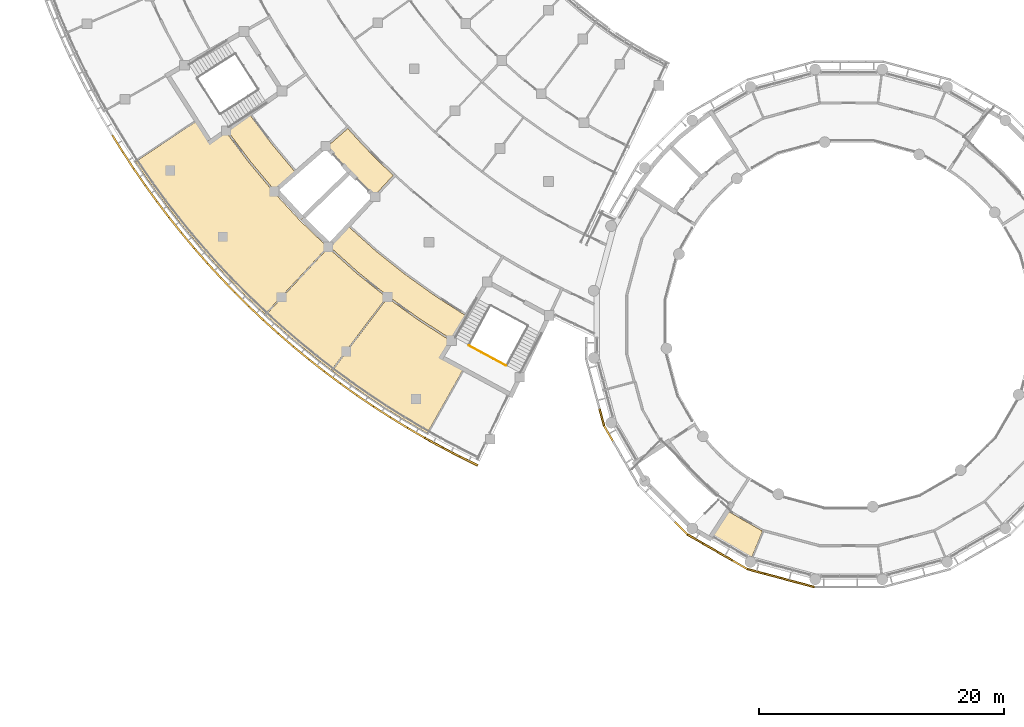
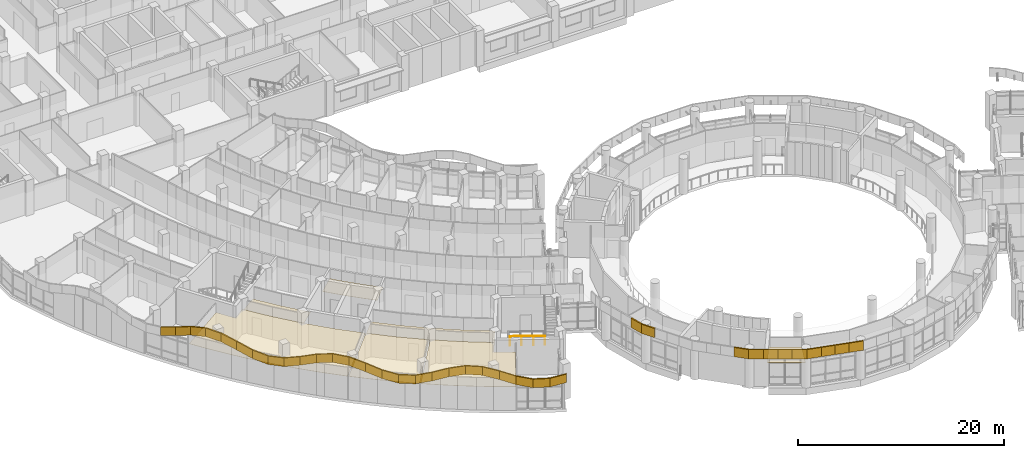
# One storey, part 91 of 109: 43 coverings, 1 railing.
"""IFC4 building model written with IfcOpenShell, lengths in metres."""

from ifc_helpers import new_model, si_unit, direction, frame, origin, origin_2d, place, context, subcontext, project, spatial, polyline, circle, outline, extrude, material, layer, layer_set, type_object, element, save


model = new_model("IFC4")

# Units and contexts
model_context = context("Model", 3, precision=1e-05, world=origin(), true_north=direction((0.0, 1.0)))
body_context = subcontext(model_context, "Body", "Model", "MODEL_VIEW")
ifc_project = project(units=[si_unit("LENGTHUNIT", "METRE"), si_unit("AREAUNIT", "SQUARE_METRE"), si_unit("VOLUMEUNIT", "CUBIC_METRE"), si_unit("PLANEANGLEUNIT", "RADIAN"), si_unit("MASSUNIT", "GRAM", prefix="KILO")], contexts=[model_context])

# Site, building, storey
site_placement = place(None, origin())
site = spatial("IfcSite", under=ifc_project, at=site_placement, CompositionType="ELEMENT")
building_placement = place(site_placement, origin())
building = spatial("IfcBuilding", under=site, at=building_placement, Name="Bougainvillea Quay General Hospital", CompositionType="ELEMENT")
storey_placement = place(building_placement, frame((0.0, 0.0, 12.60009765625)))
storey = spatial("IfcBuildingStorey", under=building, at=storey_placement, Name="L02", CompositionType="ELEMENT", Elevation=12.60009765625)

# Coverings
ifc_material_1 = material(Name="Powder-coated aluminium fascia, white", Category="aluminium")
ifc_layer_1 = layer(ifc_material_1, 0.14990234375)
ifc_layer_set_1 = layer_set([ifc_layer_1], Name="Powder-coated aluminium fascia, white")
covering_type_1 = type_object("IfcCoveringType", Name="Aluminium fascia band white 150x1100", PredefinedType="CLADDING", material=ifc_layer_set_1)
covering_1_placement = place(storey_placement, frame((88.9130859375, 67.145263671875, 3.64990234375), z_axis=(0.0, 0.0, 1.0), x_axis=(0.258747363618, -0.965945030434, 0.0)))
element("IfcCovering", 1, at=covering_1_placement, inside=storey, type_object=covering_type_1, Name="Fascia band white e0 6", PredefinedType="CLADDING", context=body_context, shape_type="SweptSolid", body=[
    extrude(outline(polyline([(0.0, 0.0), (1.4426852911843133, 0.0), (1.462442488504424, -0.14986418031882914), (-2.7020056225221523e-05, -0.1501250436751075), (0.0, 0.0)])), origin(), (0.0, 0.0, 1.0), 1.10009765625),
])
covering_2_placement = place(storey_placement, frame((89.286376953125, 65.751708984375, 3.64990234375), z_axis=(0.0, 0.0, 1.0), x_axis=(0.49994213401, -0.866058810152, 0.0)))
element("IfcCovering", 2, at=covering_2_placement, inside=storey, type_object=covering_type_1, Name="Fascia band white e0 7", PredefinedType="CLADDING", context=body_context, shape_type="SweptSolid", body=[
    extrude(outline(polyline([(0.0, 0.0), (1.4430380994058942, 0.0), (1.443016331686934, -0.14995740286665526), (-0.019704824865206458, -0.14987107548026693), (0.0, 0.0)])), origin(), (0.0, 0.0, 1.0), 1.10009765625),
])
covering_3_placement = place(storey_placement, frame((95.05810546875, 57.920166015625, 3.64990234375), z_axis=(0.0, 0.0, 1.0), x_axis=(0.707106781187, -0.707106781187, 0.0)))
element("IfcCovering", 3, at=covering_3_placement, inside=storey, type_object=covering_type_1, Name="Fascia band white e0 14", PredefinedType="CLADDING", context=body_context, shape_type="SweptSolid", body=[
    extrude(outline(polyline([(0.0, 0.0), (1.4428707219621983, 0.0), (1.4625509399932692, -0.15019113760554115), (0.0, -0.15019113760554112), (0.0, 0.0)])), origin(), (0.0, 0.0, 1.0), 1.10009765625),
])
covering_4_placement = place(storey_placement, frame((96.078369140625, 56.89990234375, 3.64990234375), z_axis=(0.0, 0.0, 1.0), x_axis=(0.866058810152, -0.49994213401, 0.0)))
element("IfcCovering", 4, at=covering_4_placement, inside=storey, type_object=covering_type_1, Name="Fascia band white e0 15", PredefinedType="CLADDING", context=body_context, shape_type="SweptSolid", body=[
    extrude(outline(polyline([(0.0, 0.0), (1.4430380994058942, 0.0), (1.4428484269856572, -0.15007945905171638), (-0.01987272956648338, -0.15016578643810477), (0.0, 0.0)])), origin(), (0.0, 0.0, 1.0), 1.10009765625),
])
covering_5_placement = place(storey_placement, frame((97.328125, 56.178466796875, 3.64990234375), z_axis=(0.0, 0.0, 1.0), x_axis=(0.866031343357, -0.499989712218, 0.0)))
element("IfcCovering", 5, at=covering_5_placement, inside=storey, type_object=covering_type_1, Name="Fascia band white e0 16", PredefinedType="CLADDING", context=body_context, shape_type="SweptSolid", body=[
    extrude(outline(polyline([(0.0, 0.0), (1.3706336703115394, 0.0), (1.3704522428569326, -0.15007946924533522), (-0.00018142745460673904, -0.15007946924533525), (0.0, 0.0)])), origin(), (0.0, 0.0, 1.0), 1.10009765625),
])
covering_6_placement = place(storey_placement, frame((98.51513671875, 55.4931640625, 3.64990234375), z_axis=(0.0, 0.0, 1.0), x_axis=(0.865986804272, -0.500066850358, 0.0)))
element("IfcCovering", 6, at=covering_6_placement, inside=storey, type_object=covering_type_1, Name="Fascia band white e0 17", PredefinedType="CLADDING", context=body_context, shape_type="SweptSolid", body=[
    extrude(outline(polyline([(0.0, 0.0), (1.3704222423145833, 1.1102230246251565e-16), (1.3704656054686581, -0.14995739817689147), (-0.0001680594055618323, -0.15007948481027983), (0.0, 0.0)])), origin(), (0.0, 0.0, 1.0), 1.10009765625),
])
covering_7_placement = place(storey_placement, frame((99.701904296875, 54.807861328125, 3.64990234375), z_axis=(0.0, 0.0, 1.0), x_axis=(0.866058810152, -0.49994213401, 0.0)))
element("IfcCovering", 7, at=covering_7_placement, inside=storey, type_object=covering_type_1, Name="Fascia band white e0 18", PredefinedType="CLADDING", context=body_context, shape_type="SweptSolid", body=[
    extrude(outline(polyline([(0.0, 0.0), (1.4430380994058942, 0.0), (1.4627429242711008, -0.1498710754802669), (2.176771896013341e-05, -0.14995740286665532), (0.0, 0.0)])), origin(), (0.0, 0.0, 1.0), 1.10009765625),
])
covering_8_placement = place(storey_placement, frame((100.95166015625, 54.08642578125, 3.64990234375), z_axis=(0.0, 0.0, 1.0), x_axis=(0.96591406393, -0.258862938836, 0.0)))
element("IfcCovering", 8, at=covering_8_placement, inside=storey, type_object=covering_type_1, Name="Fascia band white e0 19", PredefinedType="CLADDING", context=body_context, shape_type="SweptSolid", body=[
    extrude(outline(polyline([(0.0, 0.0), (1.4429842986801122, 5.551115123125783e-17), (1.442966082509382, -0.149889220504208), (-0.01973926565854102, -0.14986654323044177), (0.0, 0.0)])), origin(), (0.0, 0.0, 1.0), 1.10009765625),
])
for number, where, z_axis, x_axis, name in (
    (9, (102.345458984375, 53.712890625, 3.64990234375), (0.0, 0.0, 1.0), (0.965917832393, -0.258848876884, 0.0), "Fascia band white e0 20"),
    (10, (103.669189453125, 53.358154296875, 3.64990234375), (0.0, 0.0, 1.0), (0.965917832393, -0.258848876884, 0.0), "Fascia band white e0 21"),
):
    element("IfcCovering", number, at=place(storey_placement, frame(where, z_axis=z_axis, x_axis=x_axis)), inside=storey, type_object=covering_type_1, Name=name, PredefinedType="CLADDING", context=body_context, shape_type="SweptSolid", body=[
        extrude(outline(polyline([(0.0, 0.0), (1.3704379651734342, 5.551115123125783e-17), (1.3704175668926584, -0.14988922022313056), (-2.039828077596978e-05, -0.14988922022313056), (0.0, 0.0)])), origin(), (0.0, 0.0, 1.0), 1.10009765625),
    ])
covering_9_placement = place(storey_placement, frame((104.992919921875, 53.00341796875, 3.64990234375), z_axis=(0.0, 0.0, 1.0), x_axis=(0.965902723626, -0.258905250026, 0.0)))
element("IfcCovering", 11, at=covering_9_placement, inside=storey, type_object=covering_type_1, Name="Fascia band white e0 22", PredefinedType="CLADDING", context=body_context, shape_type="SweptSolid", body=[
    extrude(outline(polyline([(0.0, 0.0), (1.4427484812010494, 1.1102230246251565e-16), (1.4626936974182987, -0.14984782527068197), (-1.1650339643856644e-05, -0.14988922115835274), (0.0, 0.0)])), origin(), (0.0, 0.0, 1.0), 1.10009765625),
])
ifc_material_2 = material(Name="Powder-coated aluminium fascia, blue", Category="aluminium")
ifc_layer_2 = layer(ifc_material_2, 0.14990234375)
ifc_layer_set_2 = layer_set([ifc_layer_2], Name="Powder-coated aluminium fascia, blue")
covering_type_2 = type_object("IfcCoveringType", Name="Aluminium wave fascia ribbon blue 150x1000", PredefinedType="CLADDING", material=ifc_layer_set_2)
covering_10_placement = place(storey_placement, frame((49.122314453125, 89.492919921875, 3.072998046875), z_axis=(-0.162272345007, 0.261598801888, 0.951437729385), x_axis=(0.503479514618, -0.807305784709, 0.307840459224)))
element("IfcCovering", 12, at=covering_10_placement, inside=storey, type_object=covering_type_2, Name="Fascia ribbon blue a01 11", PredefinedType="CLADDING", context=body_context, shape_type="SweptSolid", body=[
    extrude(outline(polyline([(0.0, 0.0), (1.713163034044507, 8.847089727481716e-17), (1.7150777867443874, -0.14986286739317317), (-0.0018095412038238899, -0.14996973337381417), (0.0, 0.0)])), origin(), (0.307840459224, -0.000706234976, 0.951437729385), 1.0),
])
covering_11_placement = place(storey_placement, frame((49.98486328125, 88.10986328125, 3.60107421875), z_axis=(-0.185145162964, 0.282112881846, 0.941346689869), x_axis=(0.516555990042, -0.786958385388, 0.337440970866)))
element("IfcCovering", 13, at=covering_11_placement, inside=storey, type_object=covering_type_2, Name="Fascia ribbon blue a01 12", PredefinedType="CLADDING", context=body_context, shape_type="SweptSolid", body=[
    extrude(outline(polyline([(0.0, 0.0), (1.7316794672931977, -5.051704497424647e-17), (1.7335094219267628, -0.1500425564350402), (-0.0018526719240883089, -0.14986360634460838), (0.0, 0.0)])), origin(), (0.337440970866, -2.5560477e-05, 0.941346689869), 1.0),
])
covering_12_placement = place(storey_placement, frame((50.87939453125, 86.7470703125, 4.185791015625), z_axis=(-0.104592199607, 0.151861271166, 0.98285229109), x_axis=(0.558162731115, -0.808982703277, 0.184394553586)))
element("IfcCovering", 14, at=covering_12_placement, inside=storey, type_object=covering_type_2, Name="Fascia ribbon blue a01 13", PredefinedType="CLADDING", context=body_context, shape_type="SweptSolid", body=[
    extrude(outline(polyline([(0.0, 0.0), (1.6586348606553012, 2.8010363126163007e-16), (1.6601892015962099, -0.14995887378234604), (-0.0017984180171341838, -0.1500413805824064), (0.0, 0.0)])), origin(), (0.184394553586, -0.000150021485, 0.98285229109), 1.0),
])
covering_13_placement = place(storey_placement, frame((51.80517578125, 85.4052734375, 4.49169921875), z_axis=(0.052933400782, -0.073151019136, 0.995915148736), x_axis=(0.584437896561, -0.806398991198, -0.090294031135)))
element("IfcCovering", 15, at=covering_13_placement, inside=storey, type_object=covering_type_2, Name="Fascia ribbon blue a01 14", PredefinedType="CLADDING", context=body_context, shape_type="SweptSolid", body=[
    extrude(outline(polyline([(0.0, 0.0), (1.6366817661078368, -2.6018141634220893e-16), (1.6384162489704552, -0.14989427680613215), (-0.001956268364356901, -0.1499541634207764), (0.0, 0.0)])), origin(), (-0.090294031135, 6.6786764e-05, 0.995915148736), 1.0),
])
covering_14_placement = place(storey_placement, frame((52.76171875, 84.08544921875, 4.343505859375), z_axis=(0.18363753024, -0.240113289599, 0.953217113592), x_axis=(0.577239122553, -0.758563344833, -0.302285704707)))
element("IfcCovering", 16, at=covering_14_placement, inside=storey, type_object=covering_type_2, Name="Fascia ribbon blue a01 15", PredefinedType="CLADDING", context=body_context, shape_type="SweptSolid", body=[
    extrude(outline(polyline([(0.0, 0.0), (1.7099520655379756, 1.7661653389788867e-16), (1.7117539555082093, -0.15011342934059416), (-0.0019168848446964222, -0.14989365738330115), (0.0, 0.0)])), origin(), (-0.302285704707, -0.000697914575, 0.953217113592), 1.0),
])
covering_15_placement = place(storey_placement, frame((53.748779296875, 82.788330078125, 3.826171875), z_axis=(0.212120702479, -0.2657731357, 0.940409191746), x_axis=(0.586592599005, -0.73503644193, -0.34004492619)))
element("IfcCovering", 17, at=covering_15_placement, inside=storey, type_object=covering_type_2, Name="Fascia ribbon blue a01 16", PredefinedType="CLADDING", context=body_context, shape_type="SweptSolid", body=[
    extrude(outline(polyline([(0.0, 0.0), (1.7334428264430513, -1.6623529809633997e-16), (1.735330334637219, -0.1500712511706641), (-0.0018734790639898177, -0.15011352162946795), (0.0, 0.0)])), origin(), (-0.34004492619, -1.5891994e-05, 0.940409191746), 1.0),
])
covering_16_placement = place(storey_placement, frame((54.765625, 81.51416015625, 3.236328125), z_axis=(0.124958405177, -0.149537786906, 0.980828143592), x_axis=(0.629426671963, -0.752227311221, -0.194874669659)))
element("IfcCovering", 18, at=covering_16_placement, inside=storey, type_object=covering_type_2, Name="Fascia ribbon blue a01 17", PredefinedType="CLADDING", context=body_context, shape_type="SweptSolid", body=[
    extrude(outline(polyline([(0.0, 0.0), (1.6620722746001069, 1.07742590890747e-17), (1.663632654492686, -0.14995284188059085), (-0.0017542838035135193, -0.15007128999642147), (0.0, 0.0)])), origin(), (-0.194874669659, 0.000125946404, 0.980828143592), 1.0),
])
covering_17_placement = place(storey_placement, frame((55.811767578125, 80.263916015625, 2.912353515625), z_axis=(-0.051424669048, 0.058662215063, 0.99695248028), x_axis=(0.657374865304, -0.749514866286, 0.078011227923)))
element("IfcCovering", 19, at=covering_17_placement, inside=storey, type_object=covering_type_2, Name="Fascia ribbon blue a01 18", PredefinedType="CLADDING", context=body_context, shape_type="SweptSolid", body=[
    extrude(outline(polyline([(0.0, 0.0), (1.6348391435390714, -1.506600562622279e-16), (1.6367210546298263, -0.15004451241426792), (-0.0019569437686992115, -0.14994818250510017), (0.0, 0.0)])), origin(), (0.078011227923, -1.951178e-05, 0.99695248028), 1.0),
])
covering_18_placement = place(storey_placement, frame((56.886474609375, 79.03857421875, 3.0400390625), z_axis=(-0.200563628955, 0.218161158899, 0.955081116706), x_axis=(0.64620688864, -0.703275623122, 0.296344487035)))
element("IfcCovering", 20, at=covering_18_placement, inside=storey, type_object=covering_type_2, Name="Fascia ribbon blue a01 19", PredefinedType="CLADDING", context=body_context, shape_type="SweptSolid", body=[
    extrude(outline(polyline([(0.0, 0.0), (1.7069323093029267, -2.1147363374329764e-16), (1.7086830515386995, -0.15008147912863798), (-0.0016755263621577173, -0.1500475833673768), (0.0, 0.0)])), origin(), (0.296344487035, 7.4267414e-05, 0.955081116706), 1.0),
])
covering_19_placement = place(storey_placement, frame((57.989501953125, 77.838134765625, 3.54638671875), z_axis=(-0.237412499395, 0.246597273697, 0.939587723279), x_axis=(0.651601974381, -0.676934234311, 0.342308208199)))
element("IfcCovering", 21, at=covering_19_placement, inside=storey, type_object=covering_type_2, Name="Fascia ribbon blue a01 20", PredefinedType="CLADDING", context=body_context, shape_type="SweptSolid", body=[
    extrude(outline(polyline([(0.0, 0.0), (1.7347325123926882, 2.0816681711721685e-17), (1.736700493122285, -0.1501835865574706), (-0.0019422110600583737, -0.15008010263322039), (0.0, 0.0)])), origin(), (0.342308208199, 2.9378076e-05, 0.939587723279), 1.0),
])
covering_20_placement = place(storey_placement, frame((59.119873046875, 76.663818359375, 4.140625), z_axis=(-0.14502439027, 0.144816575405, 0.978772744673), x_axis=(0.694876771414, -0.689306026726, 0.204947491004)))
element("IfcCovering", 22, at=covering_20_placement, inside=storey, type_object=covering_type_2, Name="Fascia ribbon blue a01 21", PredefinedType="CLADDING", context=body_context, shape_type="SweptSolid", body=[
    extrude(outline(polyline([(0.0, 0.0), (1.6653685123511626, 1.6051613163647893e-16), (1.6672438715734357, -0.14985442143294186), (-0.0016554613829754495, -0.15018578404738264), (0.0, 0.0)])), origin(), (0.204947491004, -0.000663488129, 0.978772744673), 1.0),
])
covering_21_placement = place(storey_placement, frame((60.277099609375, 75.515869140625, 4.482177734375), z_axis=(0.047468971928, -0.044967804124, 0.997860006863), x_axis=(0.724607233497, -0.686053169059, -0.065386591808)))
element("IfcCovering", 23, at=covering_21_placement, inside=storey, type_object=covering_type_2, Name="Fascia ribbon blue a01 22", PredefinedType="CLADDING", context=body_context, shape_type="SweptSolid", body=[
    extrude(outline(polyline([(0.0, 0.0), (1.6337719486297833, 1.8153610125554165e-17), (1.6353647600663497, -0.1501181461354759), (-0.0016742776239954266, -0.14985596929713108), (0.0, 0.0)])), origin(), (-0.065386591808, 1.775752e-05, 0.997860006863), 1.0),
])
covering_22_placement = place(storey_placement, frame((61.4609375, 74.39501953125, 4.375), z_axis=(0.214928964901, -0.194639293132, 0.957037661545), x_axis=(0.709983243869, -0.641751467831, -0.289963526951)))
element("IfcCovering", 24, at=covering_22_placement, inside=storey, type_object=covering_type_2, Name="Fascia ribbon blue a01 23", PredefinedType="CLADDING", context=body_context, shape_type="SweptSolid", body=[
    extrude(outline(polyline([(0.0, 0.0), (1.7031895857873354, 6.640738306473715e-18), (1.7048552161588388, -0.14994417460003154), (-0.0019343288572178767, -0.1501149621513945), (0.0, 0.0)])), origin(), (-0.289963526951, 0.000259658018, 0.957037661545), 1.0),
])
covering_23_placement = place(storey_placement, frame((62.670166015625, 73.302001953125, 3.880615234375), z_axis=(0.260499991106, -0.224926336406, 0.938907821793), x_axis=(0.711042201749, -0.613161419693, -0.344168651584)))
element("IfcCovering", 25, at=covering_23_placement, inside=storey, type_object=covering_type_2, Name="Fascia ribbon blue a01 24", PredefinedType="CLADDING", context=body_context, shape_type="SweptSolid", body=[
    extrude(outline(polyline([(0.0, 0.0), (1.7360688527778243, 2.570643350963131e-16), (1.737851443760782, -0.15003553335103953), (-0.001960024501050167, -0.14994052765476268), (0.0, 0.0)])), origin(), (-0.344168651584, 0.000203573093, 0.938907821793), 1.0),
])
covering_24_placement = place(storey_placement, frame((63.904541015625, 72.237548828125, 3.282470703125), z_axis=(0.165840582139, -0.13648208077, 0.976662450873), x_axis=(0.754138996485, -0.620599643054, -0.21478002007)))
element("IfcCovering", 26, at=covering_24_placement, inside=storey, type_object=covering_type_2, Name="Fascia ribbon blue a01 25", PredefinedType="CLADDING", context=body_context, shape_type="SweptSolid", body=[
    extrude(outline(polyline([(0.0, 0.0), (1.669150883989138, -2.9761349634727097e-17), (1.6709461172450633, -0.15002550603339854), (-0.001803410745321041, -0.15003534005341163), (0.0, 0.0)])), origin(), (-0.21478002007, 5.853351e-06, 0.976662450873), 1.0),
])
covering_25_placement = place(storey_placement, frame((65.163330078125, 71.20166015625, 2.923828125), z_axis=(-0.041049695486, 0.033244589093, 0.99860388533), x_axis=(0.785552872467, -0.616536337296, 0.052816941905)))
element("IfcCovering", 27, at=covering_25_placement, inside=storey, type_object=covering_type_2, Name="Fascia ribbon blue a01 26", PredefinedType="CLADDING", context=body_context, shape_type="SweptSolid", body=[
    extrude(outline(polyline([(0.0, 0.0), (1.6322585080625496, -7.787282103877136e-17), (1.6340394630856983, -0.14975311537617442), (-0.0017375367028961003, -0.1500254241163087), (0.0, 0.0)])), origin(), (0.052816941905, -0.000806753554, 0.99860388533), 1.0),
])
covering_26_placement = place(storey_placement, frame((66.445556640625, 70.1953125, 3.010498046875), z_axis=(-0.226836218914, 0.169607956156, 0.959050817735), x_axis=(0.768015586137, -0.574395796891, 0.283234051563)))
element("IfcCovering", 28, at=covering_26_placement, inside=storey, type_object=covering_type_2, Name="Fascia ribbon blue a01 27", PredefinedType="CLADDING", context=body_context, shape_type="SweptSolid", body=[
    extrude(outline(polyline([(0.0, 0.0), (1.6997377149714825, -6.879262784420526e-17), (1.7015553763922084, -0.14990484105584684), (-0.001783576329707816, -0.14975368236265948), (0.0, 0.0)])), origin(), (0.283234051563, 3.2216866e-05, 0.959050817735), 1.0),
])
covering_27_placement = place(storey_placement, frame((67.7509765625, 69.218994140625, 3.492431640625), z_axis=(-0.282161527813, 0.199760907697, 0.938339198786), x_axis=(0.764307903914, -0.544347974747, 0.345714781868)))
element("IfcCovering", 29, at=covering_27_placement, inside=storey, type_object=covering_type_2, Name="Fascia ribbon blue a01 28", PredefinedType="CLADDING", context=body_context, shape_type="SweptSolid", body=[
    extrude(outline(polyline([(0.0, 0.0), (1.7370665163768755, 1.3010426069826053e-16), (1.7390390238087856, -0.14999529173769946), (-0.0018847680878757026, -0.14990499605318286), (0.0, 0.0)])), origin(), (0.345714781868, 0.000915215571, 0.938339198786), 1.0),
])
covering_28_placement = place(storey_placement, frame((69.07861328125, 68.2734375, 4.093505859375), z_axis=(-0.185700649226, 0.125685409938, 0.974534989934), x_axis=(0.806638941597, -0.546856556166, 0.224235422885)))
element("IfcCovering", 30, at=covering_28_placement, inside=storey, type_object=covering_type_2, Name="Fascia ribbon blue a01 29", PredefinedType="CLADDING", context=body_context, shape_type="SweptSolid", body=[
    extrude(outline(polyline([(0.0, 0.0), (1.672800428641557, 3.365363543395006e-16), (1.6746400973323778, -0.15010917165850915), (-0.0016136571144627601, -0.1499995576103966), (0.0, 0.0)])), origin(), (0.224235422885, 0.000168871467, 0.974534989934), 1.0),
])
covering_29_placement = place(storey_placement, frame((70.427978515625, 67.358642578125, 4.46875), z_axis=(0.033671478832, -0.021708814039, 0.999197157175), x_axis=(0.839802296054, -0.541412100391, -0.040062964104)))
element("IfcCovering", 31, at=covering_29_placement, inside=storey, type_object=covering_type_2, Name="Fascia ribbon blue a01 30", PredefinedType="CLADDING", context=body_context, shape_type="SweptSolid", body=[
    extrude(outline(polyline([(0.0, 0.0), (1.6314785984006381, -5.940072652504957e-17), (1.633167793076771, -0.14995900447452953), (-0.0016964284330920898, -0.1501100851604957), (0.0, 0.0)])), origin(), (-0.040062964104, 9.65797e-07, 0.999197157175), 1.0),
])
covering_30_placement = place(storey_placement, frame((71.798095703125, 66.475341796875, 4.403076171875), z_axis=(0.235552770301, -0.144298548219, 0.961089393025), x_axis=(0.819674193639, -0.501823716883, -0.276237530859)))
element("IfcCovering", 32, at=covering_30_placement, inside=storey, type_object=covering_type_2, Name="Fascia ribbon blue a01 31", PredefinedType="CLADDING", context=body_context, shape_type="SweptSolid", body=[
    extrude(outline(polyline([(0.0, 0.0), (1.6959673235732866, 8.294146619514109e-17), (1.6977539511562567, -0.15009376492396181), (-0.0018646493169751234, -0.14995773481767197), (0.0, 0.0)])), origin(), (-0.276237530859, 7.182944e-05, 0.961089393025), 1.0),
])
covering_31_placement = place(storey_placement, frame((73.188232421875, 65.624267578125, 3.93408203125), z_axis=(0.299566356593, -0.174760465913, 0.937933247919), x_axis=(0.810996357451, -0.471173030929, -0.346815344423)))
element("IfcCovering", 33, at=covering_31_placement, inside=storey, type_object=covering_type_2, Name="Fascia ribbon blue a01 32", PredefinedType="CLADDING", context=body_context, shape_type="SweptSolid", body=[
    extrude(outline(polyline([(0.0, 0.0), (1.7379109869818932, -2.0822102722584113e-16), (1.7399122364033228, -0.14997683216277805), (-0.0018012995496333654, -0.15009358139343326), (0.0, 0.0)])), origin(), (-0.346815344423, 0.000582513082, 0.937933247919), 1.0),
])
covering_32_placement = place(storey_placement, frame((74.59765625, 64.805419921875, 3.330810546875), z_axis=(0.20413225172, -0.113214375189, 0.972374685529), x_axis=(0.851918165186, -0.468773445119, -0.233424285322)))
element("IfcCovering", 34, at=covering_32_placement, inside=storey, type_object=covering_type_2, Name="Fascia ribbon blue a01 33", PredefinedType="CLADDING", context=body_context, shape_type="SweptSolid", body=[
    extrude(outline(polyline([(0.0, 0.0), (1.676484891490457, 1.244664094013359e-16), (1.6781980297902501, -0.14985059416207544), (-0.0016403606037489135, -0.14997963070540982), (0.0, 0.0)])), origin(), (-0.233424285322, 0.000757603885, 0.972374685529), 1.0),
])
covering_33_placement = place(storey_placement, frame((76.02587890625, 64.01953125, 2.939208984375), z_axis=(-0.023824850617, 0.013344483225, 0.999627081096), x_axis=(0.886761226125, -0.461421211947, 0.027294560025)))
element("IfcCovering", 35, at=covering_33_placement, inside=storey, type_object=covering_type_2, Name="Fascia ribbon blue a01 34", PredefinedType="CLADDING", context=body_context, shape_type="SweptSolid", body=[
    extrude(outline(polyline([(0.0, 0.0), (1.6307017889361677, 3.9160027217460813e-17), (1.6322561096988601, -0.15001212140752923), (-0.0018388378694248128, -0.14984829196401317), (0.0, 0.0)])), origin(), (0.027294560025, -0.00084007886, 0.999627081096), 1.0),
])
covering_34_placement = place(storey_placement, frame((77.471923828125, 63.26708984375, 2.984130859375), z_axis=(-0.240869805391, 0.118572291753, 0.963287261661), x_axis=(0.864576567746, -0.424770228694, 0.268472738503)))
element("IfcCovering", 36, at=covering_34_placement, inside=storey, type_object=covering_type_2, Name="Fascia ribbon blue a01 35", PredefinedType="CLADDING", context=body_context, shape_type="SweptSolid", body=[
    extrude(outline(polyline([(0.0, 0.0), (1.6886466509828681, -3.054739620977909e-17), (1.6885851632268134, -0.14991147553405773), (-0.001981236813015733, -0.15000770491164692), (0.0, 0.0)])), origin(), (0.268472738503, -0.000200502712, 0.963287261661), 1.0),
])

# Railing
ifc_material_3 = material(Name="Stainless steel 304 balustrade", Category="steel")
railing_type = type_object("IfcRailingType", Name="Stair guard 1100", PredefinedType="GUARDRAIL", material=ifc_material_3)
railing_placement = place(storey_placement, frame((78.18896484375, 72.2578125, 2.099853515625)))
element("IfcRailing", 37, at=railing_placement, inside=storey, type_object=railing_type, Name="L02 ST-W1 stair guard 2", PredefinedType="GUARDRAIL", context=body_context, shape_type="SweptSolid", body=[
    extrude(circle(Radius=0.02392578125, at=origin_2d()), frame((0.0, 0.0, 1.076171875), z_axis=(0.879596792636, -0.475719962146, 0.0), x_axis=(0.475719962146, 0.879596792636, 0.0)), (0.0, 0.0, 1.0), 3.422119140625),
    extrude(circle(Radius=0.02099609375, at=origin_2d()), origin(), (0.0, 0.0, 1.0), 1.052001953125),
    extrude(circle(Radius=0.02099609375, at=origin_2d()), frame((1.00341796875, -0.542724609375, 0.0)), (0.0, 0.0, 1.0), 1.052001953125),
    extrude(circle(Radius=0.02099609375, at=origin_2d()), frame((2.006591796875, -1.085205078125, 0.0)), (0.0, 0.0, 1.0), 1.052001953125),
    extrude(circle(Radius=0.02099609375, at=origin_2d()), frame((3.010009765625, -1.6279296875, 0.0)), (0.0, 0.0, 1.0), 1.052001953125),
])

# Coverings
ifc_material_4 = material(Name="Mineral fibre ceiling tile")
ifc_layer_3 = layer(ifc_material_4, 0.030029296875)
ifc_layer_set_3 = layer_set([ifc_layer_3], Name="Mineral fibre ceiling tile")
covering_type_3 = type_object("IfcCoveringType", Name="Suspended ceiling mineral fibre tile", PredefinedType="CEILING", material=ifc_layer_set_3)
covering_35_placement = place(storey_placement, frame((0.0, 0.0, 2.699951171875)))
element("IfcCovering", 38, at=covering_35_placement, inside=storey, type_object=covering_type_3, Name="Ceiling Lift Lobby LB-W1", PredefinedType="CEILING", context=body_context, shape_type="SweptSolid", body=[
    extrude(outline(polyline([(70.4365234375, 84.485107421875), (72.00341796875, 86.168701171875), (71.1474609375, 86.9853515625), (71.145751953125, 86.983642578125), (71.075927734375, 87.053466796875), (71.004638671875, 87.12158203125), (71.00634765625, 87.12353515625), (70.169921875, 87.96337890625), (70.16796875, 87.961669921875), (70.100341796875, 88.033447265625), (70.030517578125, 88.103271484375), (70.032470703125, 88.10498046875), (69.218505859375, 88.96533203125), (69.216552734375, 88.9638671875), (69.150390625, 89.037109375), (69.08251953125, 89.10888671875), (69.08447265625, 89.110595703125), (68.292724609375, 89.98974609375), (66.56396484375, 88.4736328125), (67.4599609375, 87.47705078125), (68.449951171875, 86.430908203125), (69.467041015625, 85.409912109375), (70.4365234375, 84.485107421875)])), origin(), (0.0, 0.0, 1.0), 0.030029296875),
])
covering_36_placement = place(storey_placement, frame((0.0, 0.0, 2.699951171875)))
element("IfcCovering", 39, at=covering_36_placement, inside=storey, type_object=covering_type_3, Name="Ceiling Gallery Lounge 02H0221", PredefinedType="CEILING", context=body_context, shape_type="SweptSolid", body=[
    extrude(outline(polyline([(101.120361328125, 54.624267578125), (102.147216796875, 57.103271484375), (102.133056640625, 57.10693359375), (102.1376953125, 57.123779296875), (99.3681640625, 58.722412109375), (99.365966796875, 58.71923828125), (99.344970703125, 58.73291015625), (97.888427734375, 56.489990234375), (101.120361328125, 54.624267578125)])), origin(), (0.0, 0.0, 1.0), 0.030029296875),
])
covering_37_placement = place(storey_placement, frame((0.0, 0.0, 2.39990234375)))
element("IfcCovering", 40, at=covering_37_placement, inside=storey, type_object=covering_type_3, Name="Ceiling Clinic Corridor 02W1", PredefinedType="CEILING", context=body_context, shape_type="SweptSolid", body=[
    extrude(outline(polyline([(66.8310546875, 80.4619140625), (66.904296875, 80.39404296875), (66.83935546875, 80.323974609375), (69.113525390625, 78.27734375), (71.584228515625, 76.306884765625), (74.152099609375, 74.463134765625), (76.766845703125, 72.780029296875), (77.93701171875, 74.701904296875), (75.478271484375, 76.284423828125), (75.476318359375, 76.28125), (75.416748046875, 76.323974609375), (75.355224609375, 76.363525390625), (75.357421875, 76.36669921875), (73.001220703125, 78.0576171875), (72.998779296875, 78.0546875), (72.941650390625, 78.10009765625), (72.88232421875, 78.142822265625), (72.884521484375, 78.145751953125), (70.617431640625, 79.955322265625), (70.614501953125, 79.9521484375), (70.560546875, 80.000732421875), (70.503662109375, 80.046142578125), (70.50634765625, 80.049560546875), (68.296875, 82.0361328125), (68.346923828125, 82.092041015625), (66.8310546875, 80.4619140625)])), origin(), (0.0, 0.0, 1.0), 0.030029296875),
])
covering_38_placement = place(storey_placement, frame((0.0, 0.0, 2.699951171875)))
element("IfcCovering", 41, at=covering_38_placement, inside=storey, type_object=covering_type_3, Name="Ceiling Endoscopy Procedure Room 02W111", PredefinedType="CEILING", context=body_context, shape_type="SweptSolid", body=[
    extrude(outline(polyline([(74.06787109375, 74.3388671875), (74.00634765625, 74.37841796875), (74.00830078125, 74.381591796875), (71.55322265625, 76.14453125), (71.55078125, 76.1416015625), (71.53271484375, 76.156005859375), (67.0244140625, 70.2001953125), (68.56103515625, 69.068603515625), (69.99609375, 68.0712890625), (71.455078125, 67.109130859375), (72.937744140625, 66.184814453125), (74.769287109375, 65.11669921875), (77.66943359375, 70.2529296875), (77.354248046875, 70.4287109375), (77.353515625, 70.427490234375), (77.26806640625, 70.4765625), (77.2685546875, 70.477783203125), (75.87060546875, 71.304443359375), (75.92138671875, 71.390380859375), (76.68896484375, 72.652099609375), (74.12939453125, 74.29931640625), (74.127197265625, 74.29638671875), (74.06787109375, 74.3388671875)])), origin(), (0.0, 0.0, 1.0), 0.030029296875),
])
covering_39_placement = place(storey_placement, frame((0.0, 0.0, 2.699951171875)))
element("IfcCovering", 42, at=covering_39_placement, inside=storey, type_object=covering_type_3, Name="Ceiling Endoscopy Procedure Room 02W112", PredefinedType="CEILING", context=body_context, shape_type="SweptSolid", body=[
    extrude(outline(polyline([(65.768310546875, 71.170166015625), (66.944580078125, 70.260498046875), (71.453125, 76.21630859375), (71.434326171875, 76.229736328125), (71.4365234375, 76.23291015625), (69.073486328125, 78.1171875), (69.070556640625, 78.114013671875), (69.0166015625, 78.162841796875), (68.959716796875, 78.2080078125), (68.96240234375, 78.21142578125), (66.7373046875, 80.214111328125), (66.734130859375, 80.212646484375), (66.698974609375, 80.246337890625), (61.592041015625, 74.7587890625), (62.46435546875, 73.960205078125), (63.781494140625, 72.80712890625), (65.768310546875, 71.170166015625)])), origin(), (0.0, 0.0, 1.0), 0.030029296875),
])
covering_40_placement = place(storey_placement, frame((0.0, 0.0, 2.39990234375)))
element("IfcCovering", 43, at=covering_40_placement, inside=storey, type_object=covering_type_3, Name="Ceiling Clinic Corridor 02W1", PredefinedType="CEILING", context=body_context, shape_type="SweptSolid", body=[
    extrude(outline(polyline([(64.091064453125, 86.43798828125), (64.033447265625, 86.389892578125), (62.131103515625, 88.67236328125), (62.1279296875, 88.669921875), (62.084228515625, 88.728515625), (62.037353515625, 88.78466796875), (62.040283203125, 88.787109375), (60.285888671875, 91.12548828125), (58.4521484375, 89.821533203125), (60.31982421875, 87.33251953125), (62.343505859375, 84.904541015625), (64.486572265625, 82.58251953125), (66.69287109375, 80.460205078125), (66.7578125, 80.530029296875), (66.8310546875, 80.4619140625), (65.68896484375, 81.551025390625), (64.575927734375, 82.6689453125), (63.491943359375, 83.81396484375), (62.43701171875, 84.987060546875), (64.091064453125, 86.43798828125)])), origin(), (0.0, 0.0, 1.0), 0.030029296875),
])
covering_41_placement = place(storey_placement, frame((0.0, 0.0, 2.699951171875)))
element("IfcCovering", 44, at=covering_41_placement, inside=storey, type_object=covering_type_3, Name="Ceiling Dialysis Chair Bay 02W111", PredefinedType="CEILING", context=body_context, shape_type="SweptSolid", body=[
    extrude(outline(polyline([(64.326904296875, 82.52783203125), (64.330078125, 82.531005859375), (62.2802734375, 84.751708984375), (62.27734375, 84.749267578125), (62.230712890625, 84.805419921875), (62.180908203125, 84.859130859375), (62.183837890625, 84.86181640625), (60.2490234375, 87.183349609375), (60.24609375, 87.180908203125), (60.2021484375, 87.239501953125), (60.1552734375, 87.295654296875), (60.158203125, 87.298095703125), (58.329833984375, 89.734375), (57.127685546875, 88.87744140625), (57.04541015625, 88.8203125), (56.11962890625, 90.155517578125), (56.11865234375, 90.15478515625), (56.0634765625, 90.236572265625), (56.064453125, 90.2373046875), (55.866943359375, 90.53857421875), (50.953857421875, 87.2763671875), (52.02978515625, 85.699951171875), (53.556884765625, 83.619140625), (54.6328125, 82.240478515625), (56.3388671875, 80.19482421875), (58.065673828125, 78.27392578125), (59.273681640625, 77.010986328125), (59.919921875, 76.36279296875), (61.51904296875, 74.8271484375), (66.625732421875, 80.314453125), (66.589599609375, 80.34716796875), (66.5908203125, 80.350341796875), (64.431884765625, 82.427001953125), (64.4287109375, 82.424072265625), (64.37939453125, 82.4775390625), (64.326904296875, 82.52783203125)])), origin(), (0.0, 0.0, 1.0), 0.030029296875),
])

save(model, "model.ifc")
